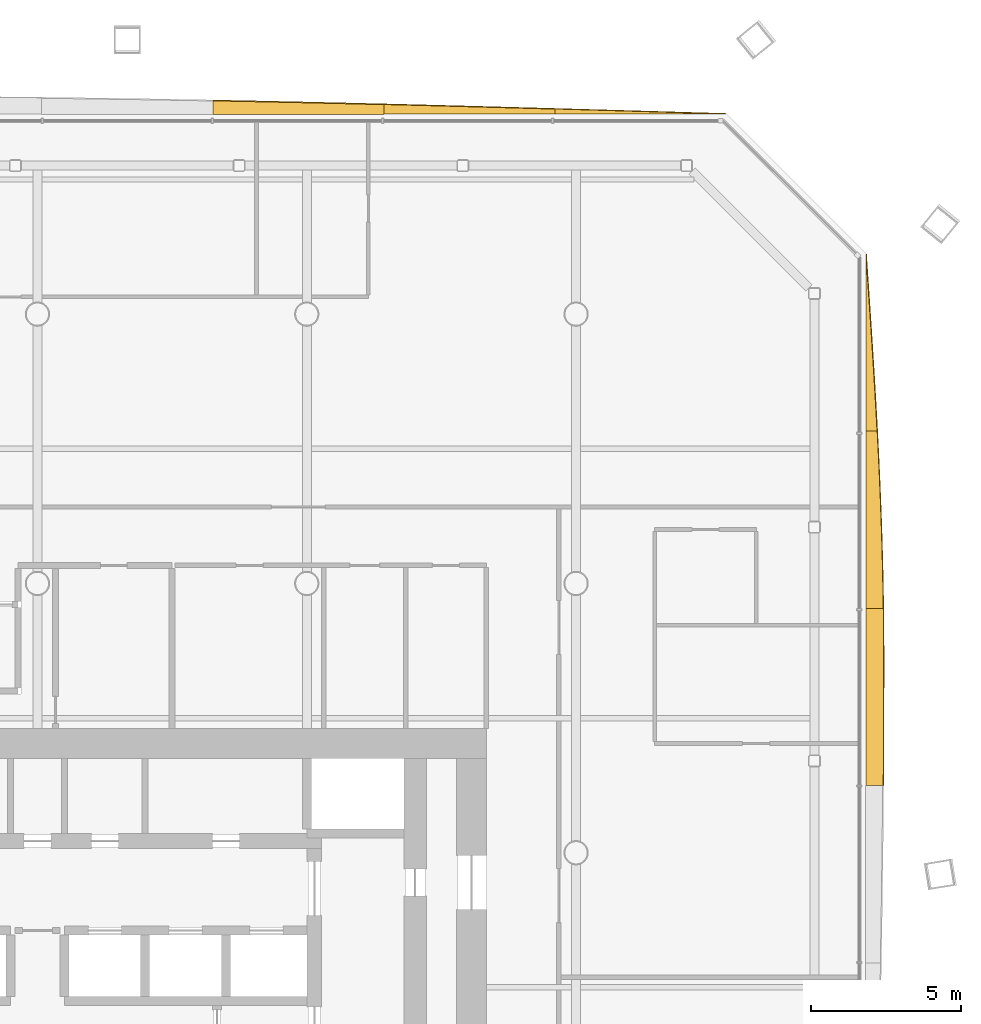
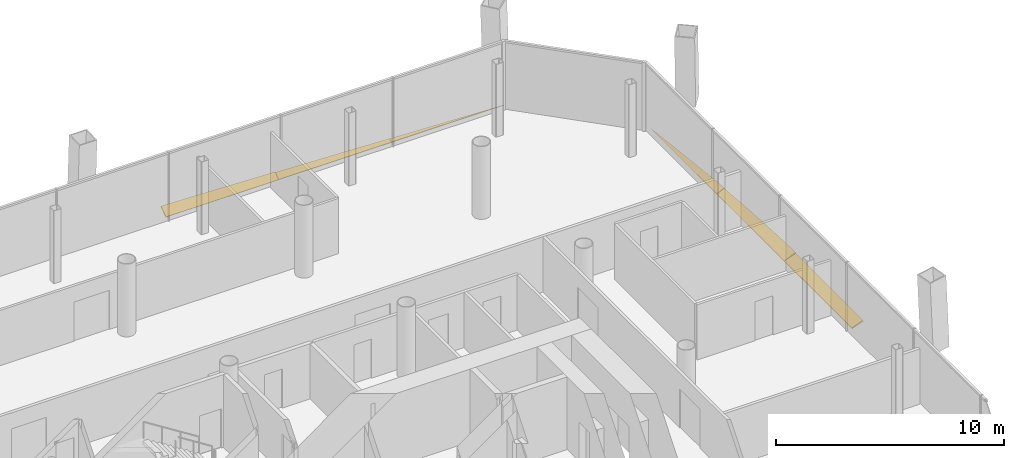
# One storey, part 19 of 19: 6 shading devices.
"""IFC4 building model written with IfcOpenShell, lengths in metres."""

from ifc_helpers import new_model, si_unit, direction, frame, origin, place, context, subcontext, project, spatial, polyline, outline, extrude, material, layer, layer_set, type_object, element, save


model = new_model("IFC4")

# Units and contexts
model_context = context("Model", 3, precision=1e-05, world=origin(), true_north=direction((0.0, 1.0)))
body_context = subcontext(model_context, "Body", "Model", "MODEL_VIEW")
ifc_project = project(units=[si_unit("LENGTHUNIT", "METRE"), si_unit("AREAUNIT", "SQUARE_METRE"), si_unit("VOLUMEUNIT", "CUBIC_METRE"), si_unit("PLANEANGLEUNIT", "RADIAN"), si_unit("MASSUNIT", "GRAM", prefix="KILO")], contexts=[model_context])

# Site, building, storey
site_placement = place(None, origin())
site = spatial("IfcSite", under=ifc_project, at=site_placement, CompositionType="ELEMENT")
building_placement = place(site_placement, origin())
building = spatial("IfcBuilding", under=site, at=building_placement, Name="Tskaro Facet Tower", CompositionType="ELEMENT")
storey_placement = place(building_placement, frame((0.0, 0.0, 93.300048828125)))
storey = spatial("IfcBuildingStorey", under=building, at=storey_placement, Name="L22", CompositionType="ELEMENT", Elevation=93.300048828125)

# Shading devices
ifc_material = material(Name="Bronze anodised aluminium 6063-T6", Category="aluminium")
ifc_layer = layer(ifc_material, 0.06005859375, Name="Bronze anodised aluminium 6063-T6")
ifc_layer_set = layer_set([ifc_layer], Name="Bronze anodised aluminium 6063-T6")
shading_device_type = type_object("IfcShadingDeviceType", Name="Bronze sun blade (FN1)", PredefinedType="USERDEFINED", material=ifc_layer_set)
shading_device_1_placement = place(storey_placement, frame((27.6923828125, 2.24462890625, 0.056396484375), z_axis=(-0.341873243904, 6.955067e-06, 0.939746074775), x_axis=(2.377751e-06, 0.999999999976, -6.535997e-06)))
element("IfcShadingDevice", 1, at=shading_device_1_placement, inside=storey, type_object=shading_device_type, Name="Fin blade east 5", ObjectType="FIN", PredefinedType="USERDEFINED", context=body_context, shape_type="SweptSolid", body=[
    extrude(outline(polyline([(0.0, 0.0), (5.924072265481718, 0.0), (5.924072265782013, -0.6128389242489062), (5.183593749602676, -0.6211822722275342), (4.443115233563646, -0.6245821904872818), (4.25341796852374, -0.6248116206813241), (3.702636718971753, -0.6242692951458), (2.9619140630285448, -0.6229552138807094), (2.2214355469840106, -0.62063994669201), (1.480957031228352, -0.6170105982382201), (0.7404785153268789, -0.6126094940548639), (-2.85717767934879e-10, -0.606894308606417), (0.0, 0.0)])), origin(), (0.0, 0.0, -1.0), 0.06005859375),
])
shading_device_2_placement = place(storey_placement, frame((27.687744140625, 8.168701171875, 0.054443359375), z_axis=(-0.422480523061, 6.807395e-06, 0.906372002871), x_axis=(2.875992e-06, 0.999999999977, -6.170032e-06)))
element("IfcShadingDevice", 2, at=shading_device_2_placement, inside=storey, type_object=shading_device_type, Name="Fin blade east 6", ObjectType="FIN", PredefinedType="USERDEFINED", context=body_context, shape_type="SweptSolid", body=[
    extrude(outline(polyline([(0.0, 0.0), (5.924072265487738, -2.508942195449902e-21), (5.924072265140209, -0.4113369582133694), (5.183593750711675, -0.4527376919983649), (4.443115234687014, -0.4907460335341059), (3.702636718572584, -0.5252588381616399), (2.9621582031725917, -0.5559516789947455), (2.2216796870827453, -0.5823819915788858), (1.4809570311844058, -0.604446631255108), (0.7404785152212061, -0.6222487426823647), (-6.276385529650592e-10, -0.6354638989744349), (0.0, 0.0)])), origin(), (0.0, 0.0, -1.0), 0.06005859375),
])
shading_device_3_placement = place(storey_placement, frame((27.68310546875, 14.0927734375, 0.052001953125), z_axis=(-0.499972154815, -1.9073383e-05, 0.866041479403), x_axis=(-9.53616e-06, 0.999999999818, 1.6518341e-05)))
element("IfcShadingDevice", 3, at=shading_device_3_placement, inside=storey, type_object=shading_device_type, Name="Fin blade east 7", ObjectType="FIN", PredefinedType="USERDEFINED", context=body_context, shape_type="SweptSolid", body=[
    extrude(outline(polyline([(0.0, 0.0), (5.924316405172385, 0.0), (5.183593749358272, -0.05808135527910034), (4.44311523246448, -0.11582921113572364), (3.7026367185223834, -0.17282069575367834), (2.9621582017945483, -0.22860024619610614), (2.2216796892654687, -0.28253355473871977), (1.4812011728695478, -0.3343764943527565), (0.74072265493495, -0.3839176291301209), (-2.211585963609824e-09, -0.430400587832144), (0.0, 0.0)])), origin(), (0.0, 0.0, -1.0), 0.06005859375),
])
shading_device_4_placement = place(storey_placement, frame((23.01708984375, 24.687744140625, 0.054443359375), z_axis=(-3.367934e-06, -0.422255488869, 0.906476862423), x_axis=(-0.999999999994, 1.422129e-06, -3.052954e-06)))
element("IfcShadingDevice", 4, at=shading_device_4_placement, inside=storey, type_object=shading_device_type, Name="Fin blade north 1", ObjectType="FIN", PredefinedType="USERDEFINED", context=body_context, shape_type="SweptSolid", body=[
    extrude(outline(polyline([(0.0, 0.0), (5.719238281217564, -1.2110958143542016e-21), (5.719238281282431, -0.18448148235190612), (5.004394531190394, -0.16187112578208987), (4.289550781098358, -0.13926076921227362), (3.5744628907794738, -0.1163260150957533), (2.8596191407383884, -0.09316995315149171), (2.144775390697303, -0.07001389120723012), (1.4299316403090183, -0.04663652143522727), (0.7150878906660838, -0.02315606194426159), (0.0, 0.0)])), origin(), (0.0, 0.0, -1.0), 0.06005859375),
])
shading_device_5_placement = place(storey_placement, frame((17.2978515625, 24.68310546875, 0.052001953125), z_axis=(-3.434804e-06, -0.499835756468, 0.866120209061), x_axis=(-0.999999999994, 1.716838e-06, -2.974953e-06)))
element("IfcShadingDevice", 5, at=shading_device_5_placement, inside=storey, type_object=shading_device_type, Name="Fin blade north 2", ObjectType="FIN", PredefinedType="USERDEFINED", context=body_context, shape_type="SweptSolid", body=[
    extrude(outline(polyline([(0.0, 0.0), (5.7192382812162625, 0.0), (5.71923828143854, -0.37035094192337537), (5.004150390305559, -0.34957799337779694), (4.2893066408310405, -0.32834952927508776), (3.5744628905182223, -0.30669815491404534), (2.8596191405125606, -0.2847132952098542), (2.1447753908140563, -0.26239495016251435), (1.429687499652254, -0.23965369485684124), (0.714843750148914, -0.2164569239940373), (2.264242058756403e-10, -0.1930486980020667), (0.0, 0.0)])), origin(), (0.0, 0.0, -1.0), 0.06005859375),
])
shading_device_6_placement = place(storey_placement, frame((11.57861328125, 24.678466796875, 0.049072265625), z_axis=(9.131731e-06, -0.57352953286, 0.819184884415), x_axis=(-0.999999999958, -5.237317e-06, 7.480576e-06)))
element("IfcShadingDevice", 6, at=shading_device_6_placement, inside=storey, type_object=shading_device_type, Name="Fin blade north 3", ObjectType="FIN", PredefinedType="USERDEFINED", context=body_context, shape_type="SweptSolid", body=[
    extrude(outline(polyline([(0.0, 0.0), (5.718994140386551, 0.0), (5.718994140342471, -0.5465812984137398), (5.004150390202367, -0.5295806344174122), (4.289306640245564, -0.5116999377748161), (3.574462891019732, -0.49327922665424606), (2.859375000073569, -0.47417847919708755), (2.144531250483367, -0.45453771726195474), (1.4296874997978246, -0.4342169189902336), (0.7148437498432532, -0.41335610624053837), (-1.2066593631573286e-09, -0.3918152571542547), (0.0, 0.0)])), origin(), (0.0, 0.0, -1.0), 0.06005859375),
])

save(model, "model.ifc")
